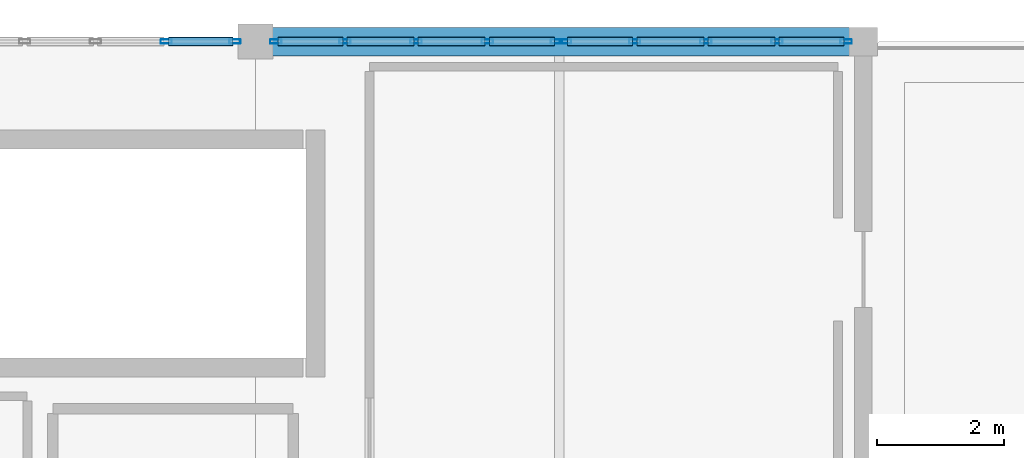
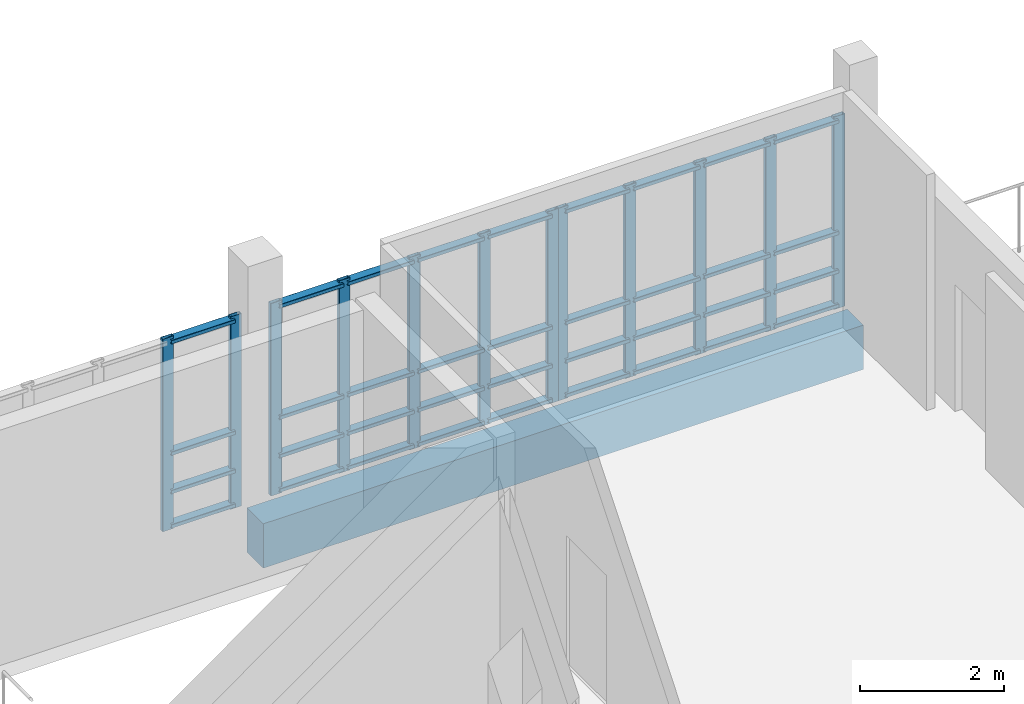
# One storey, part 6 of 11: 48 members, 1 beam, 3 elements without a shape of their own.
"""IFC4 building model written with IfcOpenShell, lengths in metres."""

from ifc_helpers import new_model, si_unit, direction, frame, origin, origin_2d, place, context, subcontext, project, spatial, rectangle, hollow_rectangle, extrude, material, layer, layer_set, material_profile, profile_set, type_object, element, aggregate, save


model = new_model("IFC4")

# Units and contexts
model_context = context("Model", 3, precision=1e-05, world=origin(), true_north=direction((0.0, 1.0)))
body_context = subcontext(model_context, "Body", "Model", "MODEL_VIEW")
ifc_project = project(units=[si_unit("LENGTHUNIT", "METRE"), si_unit("AREAUNIT", "SQUARE_METRE"), si_unit("VOLUMEUNIT", "CUBIC_METRE"), si_unit("PLANEANGLEUNIT", "RADIAN"), si_unit("MASSUNIT", "GRAM", prefix="KILO")], contexts=[model_context])

# Site, building, storey
site_placement = place(None, origin())
site = spatial("IfcSite", under=ifc_project, at=site_placement, CompositionType="ELEMENT")
building_placement = place(site_placement, origin())
building = spatial("IfcBuilding", under=site, at=building_placement, Name="Kisaragi Civic Commons", CompositionType="ELEMENT")
storey_placement = place(building_placement, frame((0.0, 0.0, 17.39990234375)))
storey = spatial("IfcBuildingStorey", under=building, at=storey_placement, Name="L04", CompositionType="ELEMENT", Elevation=17.39990234375)

# Curtain wall, members
ifc_material_1 = material(Name="Thermally broken anodized aluminium and low-E double glazing", Category="aluminium")
ifc_layer = layer(ifc_material_1, 0.179931640625, Name="Thermally broken anodized aluminium and low-E double glazing", Category="aluminium")
ifc_layer_set = layer_set([ifc_layer], Name="Thermally broken anodized aluminium and low-E double glazing")
curtain_wall_type = type_object("IfcCurtainWallType", Name="CW-01", PredefinedType="NOTDEFINED", material=ifc_layer_set)
curtain_wall_1_placement = place(storey_placement, origin())
curtain_wall_1 = element("IfcCurtainWall", 1, at=curtain_wall_1_placement, inside=storey, type_object=curtain_wall_type, Name="L04 curtain wall CW-01 CW-V4-L04-114", PredefinedType="NOTDEFINED")
ifc_material_profile_1 = material_profile(ifc_material_1, hollow_rectangle(XDim=0.06494140625, YDim=0.179931640625, WallThickness=0.00439453125, InnerFilletRadius=0.00439453125, OuterFilletRadius=0.009033203125, at=origin_2d()), Name="CWM-65x180x4.5", Category="aluminium")
ifc_profile_set_1 = profile_set([ifc_material_profile_1], Name="Thermally broken anodized aluminium and low-E double glazing")
member_type_1 = type_object("IfcMemberType", Name="CWM-02", PredefinedType="MULLION", material=ifc_profile_set_1)
member_1_placement = place(storey_placement, frame((122.1923828125, 118.800048828125, 0.0), z_axis=(0.0, 0.0, 1.0), x_axis=(0.0, 1.0, 0.0)))
member_1 = element("IfcMember", 2, at=member_1_placement, type_object=member_type_1, Name="CW-01 mullion 4", PredefinedType="MULLION", context=body_context, shape_type="SweptSolid", body=[
    extrude(hollow_rectangle(XDim=0.06494140625, YDim=0.179931640625, WallThickness=0.00439453125, InnerFilletRadius=0.00439453125, OuterFilletRadius=0.009033203125, at=origin_2d()), origin(), (0.0, 0.0, 1.0), 3.255126953125),
])
member_2_placement = place(storey_placement, frame((123.277587890625, 118.800048828125, 0.0), z_axis=(0.0, 0.0, 1.0), x_axis=(0.0, 1.0, 0.0)))
member_2 = element("IfcMember", 3, at=member_2_placement, type_object=member_type_1, Name="CW-01 mullion 5", PredefinedType="MULLION", context=body_context, shape_type="SweptSolid", body=[
    extrude(hollow_rectangle(XDim=0.06494140625, YDim=0.179931640625, WallThickness=0.00439453125, InnerFilletRadius=0.00439453125, OuterFilletRadius=0.009033203125, at=origin_2d()), origin(), (0.0, 0.0, 1.0), 3.255126953125),
])

curtain_wall_2_placement = place(storey_placement, origin())
curtain_wall_2 = element("IfcCurtainWall", 4, at=curtain_wall_2_placement, inside=storey, type_object=curtain_wall_type, Name="L04 curtain wall CW-01 CW-V4-L04-115", PredefinedType="NOTDEFINED")
member_3_placement = place(storey_placement, frame((123.922607421875, 118.800048828125, 0.0), z_axis=(0.0, 0.0, 1.0), x_axis=(0.0, 1.0, 0.0)))
member_3 = element("IfcMember", 5, at=member_3_placement, type_object=member_type_1, Name="CW-01 mullion 1", PredefinedType="MULLION", context=body_context, shape_type="SweptSolid", body=[
    extrude(hollow_rectangle(XDim=0.06494140625, YDim=0.179931640625, WallThickness=0.00439453125, InnerFilletRadius=0.00439453125, OuterFilletRadius=0.009033203125, at=origin_2d()), origin(), (0.0, 0.0, 1.0), 3.255126953125),
])
member_4_placement = place(storey_placement, frame((125.013671875, 118.800048828125, 0.0), z_axis=(0.0, 0.0, 1.0), x_axis=(0.0, 1.0, 0.0)))
member_4 = element("IfcMember", 6, at=member_4_placement, type_object=member_type_1, Name="CW-01 mullion 2", PredefinedType="MULLION", context=body_context, shape_type="SweptSolid", body=[
    extrude(hollow_rectangle(XDim=0.06494140625, YDim=0.179931640625, WallThickness=0.00439453125, InnerFilletRadius=0.00439453125, OuterFilletRadius=0.009033203125, at=origin_2d()), origin(), (0.0, 0.0, 1.0), 3.255126953125),
])
member_5_placement = place(storey_placement, frame((126.137451171875, 118.800048828125, 0.0), z_axis=(0.0, 0.0, 1.0), x_axis=(0.0, 1.0, 0.0)))
member_5 = element("IfcMember", 7, at=member_5_placement, type_object=member_type_1, Name="CW-01 mullion 3", PredefinedType="MULLION", context=body_context, shape_type="SweptSolid", body=[
    extrude(hollow_rectangle(XDim=0.06494140625, YDim=0.179931640625, WallThickness=0.00439453125, InnerFilletRadius=0.00439453125, OuterFilletRadius=0.009033203125, at=origin_2d()), origin(), (0.0, 0.0, 1.0), 3.255126953125),
])
member_6_placement = place(storey_placement, frame((127.26123046875, 118.800048828125, 0.0), z_axis=(0.0, 0.0, 1.0), x_axis=(0.0, 1.0, 0.0)))
member_6 = element("IfcMember", 8, at=member_6_placement, type_object=member_type_1, Name="CW-01 mullion 4", PredefinedType="MULLION", context=body_context, shape_type="SweptSolid", body=[
    extrude(hollow_rectangle(XDim=0.06494140625, YDim=0.179931640625, WallThickness=0.00439453125, InnerFilletRadius=0.00439453125, OuterFilletRadius=0.009033203125, at=origin_2d()), origin(), (0.0, 0.0, 1.0), 3.255126953125),
])
member_7_placement = place(storey_placement, frame((128.3525390625, 118.800048828125, 0.0), z_axis=(0.0, 0.0, 1.0), x_axis=(0.0, 1.0, 0.0)))
member_7 = element("IfcMember", 9, at=member_7_placement, type_object=member_type_1, Name="CW-01 mullion 5", PredefinedType="MULLION", context=body_context, shape_type="SweptSolid", body=[
    extrude(hollow_rectangle(XDim=0.06494140625, YDim=0.179931640625, WallThickness=0.00439453125, InnerFilletRadius=0.00439453125, OuterFilletRadius=0.009033203125, at=origin_2d()), origin(), (0.0, 0.0, 1.0), 3.255126953125),
])

curtain_wall_3_placement = place(storey_placement, origin())
curtain_wall_3 = element("IfcCurtainWall", 10, at=curtain_wall_3_placement, inside=storey, type_object=curtain_wall_type, Name="L04 curtain wall CW-01 CW-V4-L04-116", PredefinedType="NOTDEFINED")
member_8_placement = place(storey_placement, frame((128.49755859375, 118.800048828125, 0.0), z_axis=(0.0, 0.0, 1.0), x_axis=(0.0, 1.0, 0.0)))
member_8 = element("IfcMember", 11, at=member_8_placement, type_object=member_type_1, Name="CW-01 mullion 1", PredefinedType="MULLION", context=body_context, shape_type="SweptSolid", body=[
    extrude(hollow_rectangle(XDim=0.06494140625, YDim=0.179931640625, WallThickness=0.00439453125, InnerFilletRadius=0.00439453125, OuterFilletRadius=0.009033203125, at=origin_2d()), origin(), (0.0, 0.0, 1.0), 3.255126953125),
])
member_9_placement = place(storey_placement, frame((129.5888671875, 118.800048828125, 0.0), z_axis=(0.0, 0.0, 1.0), x_axis=(0.0, 1.0, 0.0)))
member_9 = element("IfcMember", 12, at=member_9_placement, type_object=member_type_1, Name="CW-01 mullion 2", PredefinedType="MULLION", context=body_context, shape_type="SweptSolid", body=[
    extrude(hollow_rectangle(XDim=0.06494140625, YDim=0.179931640625, WallThickness=0.00439453125, InnerFilletRadius=0.00439453125, OuterFilletRadius=0.009033203125, at=origin_2d()), origin(), (0.0, 0.0, 1.0), 3.255126953125),
])
member_10_placement = place(storey_placement, frame((130.71240234375, 118.800048828125, 0.0), z_axis=(0.0, 0.0, 1.0), x_axis=(0.0, 1.0, 0.0)))
member_10 = element("IfcMember", 13, at=member_10_placement, type_object=member_type_1, Name="CW-01 mullion 3", PredefinedType="MULLION", context=body_context, shape_type="SweptSolid", body=[
    extrude(hollow_rectangle(XDim=0.06494140625, YDim=0.179931640625, WallThickness=0.00439453125, InnerFilletRadius=0.00439453125, OuterFilletRadius=0.009033203125, at=origin_2d()), origin(), (0.0, 0.0, 1.0), 3.255126953125),
])
member_11_placement = place(storey_placement, frame((131.836181640625, 118.800048828125, 0.0), z_axis=(0.0, 0.0, 1.0), x_axis=(0.0, 1.0, 0.0)))
member_11 = element("IfcMember", 14, at=member_11_placement, type_object=member_type_1, Name="CW-01 mullion 4", PredefinedType="MULLION", context=body_context, shape_type="SweptSolid", body=[
    extrude(hollow_rectangle(XDim=0.06494140625, YDim=0.179931640625, WallThickness=0.00439453125, InnerFilletRadius=0.00439453125, OuterFilletRadius=0.009033203125, at=origin_2d()), origin(), (0.0, 0.0, 1.0), 3.255126953125),
])
member_12_placement = place(storey_placement, frame((132.927490234375, 118.800048828125, 0.0), z_axis=(0.0, 0.0, 1.0), x_axis=(0.0, 1.0, 0.0)))
member_12 = element("IfcMember", 15, at=member_12_placement, type_object=member_type_1, Name="CW-01 mullion 5", PredefinedType="MULLION", context=body_context, shape_type="SweptSolid", body=[
    extrude(hollow_rectangle(XDim=0.06494140625, YDim=0.179931640625, WallThickness=0.00439453125, InnerFilletRadius=0.00439453125, OuterFilletRadius=0.009033203125, at=origin_2d()), origin(), (0.0, 0.0, 1.0), 3.255126953125),
])

# Member
ifc_material_profile_2 = material_profile(ifc_material_1, hollow_rectangle(XDim=0.139892578125, YDim=0.06494140625, WallThickness=0.00439453125, InnerFilletRadius=0.00439453125, OuterFilletRadius=0.009033203125, at=origin_2d()), Name="CWT-65x140x4.5", Category="aluminium")
ifc_profile_set_2 = profile_set([ifc_material_profile_2], Name="Thermally broken anodized aluminium and low-E double glazing")
member_type_2 = type_object("IfcMemberType", Name="CWT-02", PredefinedType="USERDEFINED", material=ifc_profile_set_2)
member_13_placement = place(storey_placement, frame((122.22509765625, 118.800048828125, 0.070068359375), z_axis=(1.0, 0.0, 0.0), x_axis=(0.0, 1.0, 0.0)))
member_13 = element("IfcMember", 16, at=member_13_placement, type_object=member_type_2, Name="CW-01 transom 4.1", ObjectType="TRANSOM", PredefinedType="USERDEFINED", context=body_context, shape_type="SweptSolid", body=[
    extrude(hollow_rectangle(XDim=0.139892578125, YDim=0.06494140625, WallThickness=0.00439453125, InnerFilletRadius=0.00439453125, OuterFilletRadius=0.009033203125, at=origin_2d()), origin(), (0.0, 0.0, 1.0), 1.02001953125),
])

member_14_placement = place(storey_placement, frame((122.22509765625, 118.800048828125, 0.650146484375), z_axis=(1.0, 0.0, 0.0), x_axis=(0.0, 1.0, 0.0)))
member_14 = element("IfcMember", 17, at=member_14_placement, type_object=member_type_2, Name="CW-01 transom 4.2", ObjectType="TRANSOM", PredefinedType="USERDEFINED", context=body_context, shape_type="SweptSolid", body=[
    extrude(hollow_rectangle(XDim=0.139892578125, YDim=0.06494140625, WallThickness=0.00439453125, InnerFilletRadius=0.00439453125, OuterFilletRadius=0.009033203125, at=origin_2d()), origin(), (0.0, 0.0, 1.0), 1.02001953125),
])

member_15_placement = place(storey_placement, frame((122.22509765625, 118.800048828125, 1.300048828125), z_axis=(1.0, 0.0, 0.0), x_axis=(0.0, 1.0, 0.0)))
member_15 = element("IfcMember", 18, at=member_15_placement, type_object=member_type_2, Name="CW-01 transom 4.3", ObjectType="TRANSOM", PredefinedType="USERDEFINED", context=body_context, shape_type="SweptSolid", body=[
    extrude(hollow_rectangle(XDim=0.139892578125, YDim=0.06494140625, WallThickness=0.00439453125, InnerFilletRadius=0.00439453125, OuterFilletRadius=0.009033203125, at=origin_2d()), origin(), (0.0, 0.0, 1.0), 1.02001953125),
])

member_16_placement = place(storey_placement, frame((122.22509765625, 118.800048828125, 3.18505859375), z_axis=(1.0, 0.0, 0.0), x_axis=(0.0, 1.0, 0.0)))
member_16 = element("IfcMember", 19, at=member_16_placement, type_object=member_type_2, Name="CW-01 transom 4.4", ObjectType="TRANSOM", PredefinedType="USERDEFINED", context=body_context, shape_type="SweptSolid", body=[
    extrude(hollow_rectangle(XDim=0.139892578125, YDim=0.06494140625, WallThickness=0.00439453125, InnerFilletRadius=0.00439453125, OuterFilletRadius=0.009033203125, at=origin_2d()), origin(), (0.0, 0.0, 1.0), 1.02001953125),
])

aggregate(curtain_wall_1, [member_1, member_2, member_13, member_14, member_15, member_16])

member_17_placement = place(storey_placement, frame((123.955078125, 118.800048828125, 0.070068359375), z_axis=(1.0, 0.0, 0.0), x_axis=(0.0, 1.0, 0.0)))
member_17 = element("IfcMember", 20, at=member_17_placement, type_object=member_type_2, Name="CW-01 transom 1.1", ObjectType="TRANSOM", PredefinedType="USERDEFINED", context=body_context, shape_type="SweptSolid", body=[
    extrude(hollow_rectangle(XDim=0.139892578125, YDim=0.06494140625, WallThickness=0.00439453125, InnerFilletRadius=0.00439453125, OuterFilletRadius=0.009033203125, at=origin_2d()), origin(), (0.0, 0.0, 1.0), 1.026123046875),
])

member_18_placement = place(storey_placement, frame((123.955078125, 118.800048828125, 0.650146484375), z_axis=(1.0, 0.0, 0.0), x_axis=(0.0, 1.0, 0.0)))
member_18 = element("IfcMember", 21, at=member_18_placement, type_object=member_type_2, Name="CW-01 transom 1.2", ObjectType="TRANSOM", PredefinedType="USERDEFINED", context=body_context, shape_type="SweptSolid", body=[
    extrude(hollow_rectangle(XDim=0.139892578125, YDim=0.06494140625, WallThickness=0.00439453125, InnerFilletRadius=0.00439453125, OuterFilletRadius=0.009033203125, at=origin_2d()), origin(), (0.0, 0.0, 1.0), 1.026123046875),
])

member_19_placement = place(storey_placement, frame((123.955078125, 118.800048828125, 1.300048828125), z_axis=(1.0, 0.0, 0.0), x_axis=(0.0, 1.0, 0.0)))
member_19 = element("IfcMember", 22, at=member_19_placement, type_object=member_type_2, Name="CW-01 transom 1.3", ObjectType="TRANSOM", PredefinedType="USERDEFINED", context=body_context, shape_type="SweptSolid", body=[
    extrude(hollow_rectangle(XDim=0.139892578125, YDim=0.06494140625, WallThickness=0.00439453125, InnerFilletRadius=0.00439453125, OuterFilletRadius=0.009033203125, at=origin_2d()), origin(), (0.0, 0.0, 1.0), 1.026123046875),
])

member_20_placement = place(storey_placement, frame((123.955078125, 118.800048828125, 3.18505859375), z_axis=(1.0, 0.0, 0.0), x_axis=(0.0, 1.0, 0.0)))
member_20 = element("IfcMember", 23, at=member_20_placement, type_object=member_type_2, Name="CW-01 transom 1.4", ObjectType="TRANSOM", PredefinedType="USERDEFINED", context=body_context, shape_type="SweptSolid", body=[
    extrude(hollow_rectangle(XDim=0.139892578125, YDim=0.06494140625, WallThickness=0.00439453125, InnerFilletRadius=0.00439453125, OuterFilletRadius=0.009033203125, at=origin_2d()), origin(), (0.0, 0.0, 1.0), 1.026123046875),
])

member_21_placement = place(storey_placement, frame((125.046142578125, 118.800048828125, 0.070068359375), z_axis=(1.0, 0.0, 0.0), x_axis=(0.0, 1.0, 0.0)))
member_21 = element("IfcMember", 24, at=member_21_placement, type_object=member_type_2, Name="CW-01 transom 2.1", ObjectType="TRANSOM", PredefinedType="USERDEFINED", context=body_context, shape_type="SweptSolid", body=[
    extrude(hollow_rectangle(XDim=0.139892578125, YDim=0.06494140625, WallThickness=0.00439453125, InnerFilletRadius=0.00439453125, OuterFilletRadius=0.009033203125, at=origin_2d()), origin(), (0.0, 0.0, 1.0), 1.058837890625),
])

member_22_placement = place(storey_placement, frame((125.046142578125, 118.800048828125, 0.650146484375), z_axis=(1.0, 0.0, 0.0), x_axis=(0.0, 1.0, 0.0)))
member_22 = element("IfcMember", 25, at=member_22_placement, type_object=member_type_2, Name="CW-01 transom 2.2", ObjectType="TRANSOM", PredefinedType="USERDEFINED", context=body_context, shape_type="SweptSolid", body=[
    extrude(hollow_rectangle(XDim=0.139892578125, YDim=0.06494140625, WallThickness=0.00439453125, InnerFilletRadius=0.00439453125, OuterFilletRadius=0.009033203125, at=origin_2d()), origin(), (0.0, 0.0, 1.0), 1.058837890625),
])

member_23_placement = place(storey_placement, frame((125.046142578125, 118.800048828125, 1.300048828125), z_axis=(1.0, 0.0, 0.0), x_axis=(0.0, 1.0, 0.0)))
member_23 = element("IfcMember", 26, at=member_23_placement, type_object=member_type_2, Name="CW-01 transom 2.3", ObjectType="TRANSOM", PredefinedType="USERDEFINED", context=body_context, shape_type="SweptSolid", body=[
    extrude(hollow_rectangle(XDim=0.139892578125, YDim=0.06494140625, WallThickness=0.00439453125, InnerFilletRadius=0.00439453125, OuterFilletRadius=0.009033203125, at=origin_2d()), origin(), (0.0, 0.0, 1.0), 1.058837890625),
])

member_24_placement = place(storey_placement, frame((125.046142578125, 118.800048828125, 3.18505859375), z_axis=(1.0, 0.0, 0.0), x_axis=(0.0, 1.0, 0.0)))
member_24 = element("IfcMember", 27, at=member_24_placement, type_object=member_type_2, Name="CW-01 transom 2.4", ObjectType="TRANSOM", PredefinedType="USERDEFINED", context=body_context, shape_type="SweptSolid", body=[
    extrude(hollow_rectangle(XDim=0.139892578125, YDim=0.06494140625, WallThickness=0.00439453125, InnerFilletRadius=0.00439453125, OuterFilletRadius=0.009033203125, at=origin_2d()), origin(), (0.0, 0.0, 1.0), 1.058837890625),
])

member_25_placement = place(storey_placement, frame((126.169921875, 118.800048828125, 0.070068359375), z_axis=(1.0, 0.0, 0.0), x_axis=(0.0, 1.0, 0.0)))
member_25 = element("IfcMember", 28, at=member_25_placement, type_object=member_type_2, Name="CW-01 transom 3.1", ObjectType="TRANSOM", PredefinedType="USERDEFINED", context=body_context, shape_type="SweptSolid", body=[
    extrude(hollow_rectangle(XDim=0.139892578125, YDim=0.06494140625, WallThickness=0.00439453125, InnerFilletRadius=0.00439453125, OuterFilletRadius=0.009033203125, at=origin_2d()), origin(), (0.0, 0.0, 1.0), 1.058837890625),
])

member_26_placement = place(storey_placement, frame((126.169921875, 118.800048828125, 0.650146484375), z_axis=(1.0, 0.0, 0.0), x_axis=(0.0, 1.0, 0.0)))
member_26 = element("IfcMember", 29, at=member_26_placement, type_object=member_type_2, Name="CW-01 transom 3.2", ObjectType="TRANSOM", PredefinedType="USERDEFINED", context=body_context, shape_type="SweptSolid", body=[
    extrude(hollow_rectangle(XDim=0.139892578125, YDim=0.06494140625, WallThickness=0.00439453125, InnerFilletRadius=0.00439453125, OuterFilletRadius=0.009033203125, at=origin_2d()), origin(), (0.0, 0.0, 1.0), 1.058837890625),
])

member_27_placement = place(storey_placement, frame((126.169921875, 118.800048828125, 1.300048828125), z_axis=(1.0, 0.0, 0.0), x_axis=(0.0, 1.0, 0.0)))
member_27 = element("IfcMember", 30, at=member_27_placement, type_object=member_type_2, Name="CW-01 transom 3.3", ObjectType="TRANSOM", PredefinedType="USERDEFINED", context=body_context, shape_type="SweptSolid", body=[
    extrude(hollow_rectangle(XDim=0.139892578125, YDim=0.06494140625, WallThickness=0.00439453125, InnerFilletRadius=0.00439453125, OuterFilletRadius=0.009033203125, at=origin_2d()), origin(), (0.0, 0.0, 1.0), 1.058837890625),
])

member_28_placement = place(storey_placement, frame((126.169921875, 118.800048828125, 3.18505859375), z_axis=(1.0, 0.0, 0.0), x_axis=(0.0, 1.0, 0.0)))
member_28 = element("IfcMember", 31, at=member_28_placement, type_object=member_type_2, Name="CW-01 transom 3.4", ObjectType="TRANSOM", PredefinedType="USERDEFINED", context=body_context, shape_type="SweptSolid", body=[
    extrude(hollow_rectangle(XDim=0.139892578125, YDim=0.06494140625, WallThickness=0.00439453125, InnerFilletRadius=0.00439453125, OuterFilletRadius=0.009033203125, at=origin_2d()), origin(), (0.0, 0.0, 1.0), 1.058837890625),
])

member_29_placement = place(storey_placement, frame((127.293701171875, 118.800048828125, 0.070068359375), z_axis=(1.0, 0.0, 0.0), x_axis=(0.0, 1.0, 0.0)))
member_29 = element("IfcMember", 32, at=member_29_placement, type_object=member_type_2, Name="CW-01 transom 4.1", ObjectType="TRANSOM", PredefinedType="USERDEFINED", context=body_context, shape_type="SweptSolid", body=[
    extrude(hollow_rectangle(XDim=0.139892578125, YDim=0.06494140625, WallThickness=0.00439453125, InnerFilletRadius=0.00439453125, OuterFilletRadius=0.009033203125, at=origin_2d()), origin(), (0.0, 0.0, 1.0), 1.0263671875),
])

member_30_placement = place(storey_placement, frame((127.293701171875, 118.800048828125, 0.650146484375), z_axis=(1.0, 0.0, 0.0), x_axis=(0.0, 1.0, 0.0)))
member_30 = element("IfcMember", 33, at=member_30_placement, type_object=member_type_2, Name="CW-01 transom 4.2", ObjectType="TRANSOM", PredefinedType="USERDEFINED", context=body_context, shape_type="SweptSolid", body=[
    extrude(hollow_rectangle(XDim=0.139892578125, YDim=0.06494140625, WallThickness=0.00439453125, InnerFilletRadius=0.00439453125, OuterFilletRadius=0.009033203125, at=origin_2d()), origin(), (0.0, 0.0, 1.0), 1.0263671875),
])

member_31_placement = place(storey_placement, frame((127.293701171875, 118.800048828125, 1.300048828125), z_axis=(1.0, 0.0, 0.0), x_axis=(0.0, 1.0, 0.0)))
member_31 = element("IfcMember", 34, at=member_31_placement, type_object=member_type_2, Name="CW-01 transom 4.3", ObjectType="TRANSOM", PredefinedType="USERDEFINED", context=body_context, shape_type="SweptSolid", body=[
    extrude(hollow_rectangle(XDim=0.139892578125, YDim=0.06494140625, WallThickness=0.00439453125, InnerFilletRadius=0.00439453125, OuterFilletRadius=0.009033203125, at=origin_2d()), origin(), (0.0, 0.0, 1.0), 1.0263671875),
])

member_32_placement = place(storey_placement, frame((127.293701171875, 118.800048828125, 3.18505859375), z_axis=(1.0, 0.0, 0.0), x_axis=(0.0, 1.0, 0.0)))
member_32 = element("IfcMember", 35, at=member_32_placement, type_object=member_type_2, Name="CW-01 transom 4.4", ObjectType="TRANSOM", PredefinedType="USERDEFINED", context=body_context, shape_type="SweptSolid", body=[
    extrude(hollow_rectangle(XDim=0.139892578125, YDim=0.06494140625, WallThickness=0.00439453125, InnerFilletRadius=0.00439453125, OuterFilletRadius=0.009033203125, at=origin_2d()), origin(), (0.0, 0.0, 1.0), 1.0263671875),
])

aggregate(curtain_wall_2, [member_3, member_4, member_5, member_6, member_7, member_17, member_18, member_19, member_20, member_21, member_22, member_23, member_24, member_25, member_26, member_27, member_28, member_29, member_30, member_31, member_32])

member_33_placement = place(storey_placement, frame((128.530029296875, 118.800048828125, 0.070068359375), z_axis=(1.0, 0.0, 0.0), x_axis=(0.0, 1.0, 0.0)))
member_33 = element("IfcMember", 36, at=member_33_placement, type_object=member_type_2, Name="CW-01 transom 1.1", ObjectType="TRANSOM", PredefinedType="USERDEFINED", context=body_context, shape_type="SweptSolid", body=[
    extrude(hollow_rectangle(XDim=0.139892578125, YDim=0.06494140625, WallThickness=0.00439453125, InnerFilletRadius=0.00439453125, OuterFilletRadius=0.009033203125, at=origin_2d()), origin(), (0.0, 0.0, 1.0), 1.026123046875),
])

member_34_placement = place(storey_placement, frame((128.530029296875, 118.800048828125, 0.650146484375), z_axis=(1.0, 0.0, 0.0), x_axis=(0.0, 1.0, 0.0)))
member_34 = element("IfcMember", 37, at=member_34_placement, type_object=member_type_2, Name="CW-01 transom 1.2", ObjectType="TRANSOM", PredefinedType="USERDEFINED", context=body_context, shape_type="SweptSolid", body=[
    extrude(hollow_rectangle(XDim=0.139892578125, YDim=0.06494140625, WallThickness=0.00439453125, InnerFilletRadius=0.00439453125, OuterFilletRadius=0.009033203125, at=origin_2d()), origin(), (0.0, 0.0, 1.0), 1.026123046875),
])

member_35_placement = place(storey_placement, frame((128.530029296875, 118.800048828125, 1.300048828125), z_axis=(1.0, 0.0, 0.0), x_axis=(0.0, 1.0, 0.0)))
member_35 = element("IfcMember", 38, at=member_35_placement, type_object=member_type_2, Name="CW-01 transom 1.3", ObjectType="TRANSOM", PredefinedType="USERDEFINED", context=body_context, shape_type="SweptSolid", body=[
    extrude(hollow_rectangle(XDim=0.139892578125, YDim=0.06494140625, WallThickness=0.00439453125, InnerFilletRadius=0.00439453125, OuterFilletRadius=0.009033203125, at=origin_2d()), origin(), (0.0, 0.0, 1.0), 1.026123046875),
])

member_36_placement = place(storey_placement, frame((128.530029296875, 118.800048828125, 3.18505859375), z_axis=(1.0, 0.0, 0.0), x_axis=(0.0, 1.0, 0.0)))
member_36 = element("IfcMember", 39, at=member_36_placement, type_object=member_type_2, Name="CW-01 transom 1.4", ObjectType="TRANSOM", PredefinedType="USERDEFINED", context=body_context, shape_type="SweptSolid", body=[
    extrude(hollow_rectangle(XDim=0.139892578125, YDim=0.06494140625, WallThickness=0.00439453125, InnerFilletRadius=0.00439453125, OuterFilletRadius=0.009033203125, at=origin_2d()), origin(), (0.0, 0.0, 1.0), 1.026123046875),
])

member_37_placement = place(storey_placement, frame((129.621337890625, 118.800048828125, 0.070068359375), z_axis=(1.0, 0.0, 0.0), x_axis=(0.0, 1.0, 0.0)))
member_37 = element("IfcMember", 40, at=member_37_placement, type_object=member_type_2, Name="CW-01 transom 2.1", ObjectType="TRANSOM", PredefinedType="USERDEFINED", context=body_context, shape_type="SweptSolid", body=[
    extrude(hollow_rectangle(XDim=0.139892578125, YDim=0.06494140625, WallThickness=0.00439453125, InnerFilletRadius=0.00439453125, OuterFilletRadius=0.009033203125, at=origin_2d()), origin(), (0.0, 0.0, 1.0), 1.05859375),
])

member_38_placement = place(storey_placement, frame((129.621337890625, 118.800048828125, 0.650146484375), z_axis=(1.0, 0.0, 0.0), x_axis=(0.0, 1.0, 0.0)))
member_38 = element("IfcMember", 41, at=member_38_placement, type_object=member_type_2, Name="CW-01 transom 2.2", ObjectType="TRANSOM", PredefinedType="USERDEFINED", context=body_context, shape_type="SweptSolid", body=[
    extrude(hollow_rectangle(XDim=0.139892578125, YDim=0.06494140625, WallThickness=0.00439453125, InnerFilletRadius=0.00439453125, OuterFilletRadius=0.009033203125, at=origin_2d()), origin(), (0.0, 0.0, 1.0), 1.05859375),
])

member_39_placement = place(storey_placement, frame((129.621337890625, 118.800048828125, 1.300048828125), z_axis=(1.0, 0.0, 0.0), x_axis=(0.0, 1.0, 0.0)))
member_39 = element("IfcMember", 42, at=member_39_placement, type_object=member_type_2, Name="CW-01 transom 2.3", ObjectType="TRANSOM", PredefinedType="USERDEFINED", context=body_context, shape_type="SweptSolid", body=[
    extrude(hollow_rectangle(XDim=0.139892578125, YDim=0.06494140625, WallThickness=0.00439453125, InnerFilletRadius=0.00439453125, OuterFilletRadius=0.009033203125, at=origin_2d()), origin(), (0.0, 0.0, 1.0), 1.05859375),
])

member_40_placement = place(storey_placement, frame((129.621337890625, 118.800048828125, 3.18505859375), z_axis=(1.0, 0.0, 0.0), x_axis=(0.0, 1.0, 0.0)))
member_40 = element("IfcMember", 43, at=member_40_placement, type_object=member_type_2, Name="CW-01 transom 2.4", ObjectType="TRANSOM", PredefinedType="USERDEFINED", context=body_context, shape_type="SweptSolid", body=[
    extrude(hollow_rectangle(XDim=0.139892578125, YDim=0.06494140625, WallThickness=0.00439453125, InnerFilletRadius=0.00439453125, OuterFilletRadius=0.009033203125, at=origin_2d()), origin(), (0.0, 0.0, 1.0), 1.05859375),
])

member_41_placement = place(storey_placement, frame((130.7451171875, 118.800048828125, 0.070068359375), z_axis=(1.0, 0.0, 0.0), x_axis=(0.0, 1.0, 0.0)))
member_41 = element("IfcMember", 44, at=member_41_placement, type_object=member_type_2, Name="CW-01 transom 3.1", ObjectType="TRANSOM", PredefinedType="USERDEFINED", context=body_context, shape_type="SweptSolid", body=[
    extrude(hollow_rectangle(XDim=0.139892578125, YDim=0.06494140625, WallThickness=0.00439453125, InnerFilletRadius=0.00439453125, OuterFilletRadius=0.009033203125, at=origin_2d()), origin(), (0.0, 0.0, 1.0), 1.05859375),
])

member_42_placement = place(storey_placement, frame((130.7451171875, 118.800048828125, 0.650146484375), z_axis=(1.0, 0.0, 0.0), x_axis=(0.0, 1.0, 0.0)))
member_42 = element("IfcMember", 45, at=member_42_placement, type_object=member_type_2, Name="CW-01 transom 3.2", ObjectType="TRANSOM", PredefinedType="USERDEFINED", context=body_context, shape_type="SweptSolid", body=[
    extrude(hollow_rectangle(XDim=0.139892578125, YDim=0.06494140625, WallThickness=0.00439453125, InnerFilletRadius=0.00439453125, OuterFilletRadius=0.009033203125, at=origin_2d()), origin(), (0.0, 0.0, 1.0), 1.05859375),
])

member_43_placement = place(storey_placement, frame((130.7451171875, 118.800048828125, 1.300048828125), z_axis=(1.0, 0.0, 0.0), x_axis=(0.0, 1.0, 0.0)))
member_43 = element("IfcMember", 46, at=member_43_placement, type_object=member_type_2, Name="CW-01 transom 3.3", ObjectType="TRANSOM", PredefinedType="USERDEFINED", context=body_context, shape_type="SweptSolid", body=[
    extrude(hollow_rectangle(XDim=0.139892578125, YDim=0.06494140625, WallThickness=0.00439453125, InnerFilletRadius=0.00439453125, OuterFilletRadius=0.009033203125, at=origin_2d()), origin(), (0.0, 0.0, 1.0), 1.05859375),
])

member_44_placement = place(storey_placement, frame((130.7451171875, 118.800048828125, 3.18505859375), z_axis=(1.0, 0.0, 0.0), x_axis=(0.0, 1.0, 0.0)))
member_44 = element("IfcMember", 47, at=member_44_placement, type_object=member_type_2, Name="CW-01 transom 3.4", ObjectType="TRANSOM", PredefinedType="USERDEFINED", context=body_context, shape_type="SweptSolid", body=[
    extrude(hollow_rectangle(XDim=0.139892578125, YDim=0.06494140625, WallThickness=0.00439453125, InnerFilletRadius=0.00439453125, OuterFilletRadius=0.009033203125, at=origin_2d()), origin(), (0.0, 0.0, 1.0), 1.05859375),
])

member_45_placement = place(storey_placement, frame((131.86865234375, 118.800048828125, 0.070068359375), z_axis=(1.0, 0.0, 0.0), x_axis=(0.0, 1.0, 0.0)))
member_45 = element("IfcMember", 48, at=member_45_placement, type_object=member_type_2, Name="CW-01 transom 4.1", ObjectType="TRANSOM", PredefinedType="USERDEFINED", context=body_context, shape_type="SweptSolid", body=[
    extrude(hollow_rectangle(XDim=0.139892578125, YDim=0.06494140625, WallThickness=0.00439453125, InnerFilletRadius=0.00439453125, OuterFilletRadius=0.009033203125, at=origin_2d()), origin(), (0.0, 0.0, 1.0), 1.0263671875),
])

member_46_placement = place(storey_placement, frame((131.86865234375, 118.800048828125, 0.650146484375), z_axis=(1.0, 0.0, 0.0), x_axis=(0.0, 1.0, 0.0)))
member_46 = element("IfcMember", 49, at=member_46_placement, type_object=member_type_2, Name="CW-01 transom 4.2", ObjectType="TRANSOM", PredefinedType="USERDEFINED", context=body_context, shape_type="SweptSolid", body=[
    extrude(hollow_rectangle(XDim=0.139892578125, YDim=0.06494140625, WallThickness=0.00439453125, InnerFilletRadius=0.00439453125, OuterFilletRadius=0.009033203125, at=origin_2d()), origin(), (0.0, 0.0, 1.0), 1.0263671875),
])

member_47_placement = place(storey_placement, frame((131.86865234375, 118.800048828125, 1.300048828125), z_axis=(1.0, 0.0, 0.0), x_axis=(0.0, 1.0, 0.0)))
member_47 = element("IfcMember", 50, at=member_47_placement, type_object=member_type_2, Name="CW-01 transom 4.3", ObjectType="TRANSOM", PredefinedType="USERDEFINED", context=body_context, shape_type="SweptSolid", body=[
    extrude(hollow_rectangle(XDim=0.139892578125, YDim=0.06494140625, WallThickness=0.00439453125, InnerFilletRadius=0.00439453125, OuterFilletRadius=0.009033203125, at=origin_2d()), origin(), (0.0, 0.0, 1.0), 1.0263671875),
])

member_48_placement = place(storey_placement, frame((131.86865234375, 118.800048828125, 3.18505859375), z_axis=(1.0, 0.0, 0.0), x_axis=(0.0, 1.0, 0.0)))
member_48 = element("IfcMember", 51, at=member_48_placement, type_object=member_type_2, Name="CW-01 transom 4.4", ObjectType="TRANSOM", PredefinedType="USERDEFINED", context=body_context, shape_type="SweptSolid", body=[
    extrude(hollow_rectangle(XDim=0.139892578125, YDim=0.06494140625, WallThickness=0.00439453125, InnerFilletRadius=0.00439453125, OuterFilletRadius=0.009033203125, at=origin_2d()), origin(), (0.0, 0.0, 1.0), 1.0263671875),
])

aggregate(curtain_wall_3, [member_8, member_9, member_10, member_11, member_12, member_33, member_34, member_35, member_36, member_37, member_38, member_39, member_40, member_41, member_42, member_43, member_44, member_45, member_46, member_47, member_48])

# Beam
ifc_material_2 = material(Name="Concrete Fc30", Category="concrete")
ifc_material_profile_3 = material_profile(ifc_material_2, rectangle(XDim=0.449951171875, YDim=0.75, at=origin_2d()), Name="RC-450x750", Category="concrete")
ifc_profile_set_3 = profile_set([ifc_material_profile_3], Name="Concrete Fc30")
beam_type = type_object("IfcBeamType", Name="SPB-04", PredefinedType="SPANDREL", material=ifc_profile_set_3)
beam_placement = place(storey_placement, frame((123.60009765625, 118.800048828125, -0.64501953125), z_axis=(1.0, 0.0, 0.0), x_axis=(0.0, 1.0, 0.0)))
element("IfcBeam", 52, at=beam_placement, inside=storey, type_object=beam_type, Name="L04 girder SPB-04 345", PredefinedType="SPANDREL", context=body_context, shape_type="SweptSolid", body=[
    extrude(rectangle(XDim=0.449951171875, YDim=0.75, at=origin_2d()), origin(), (0.0, 0.0, 1.0), 9.599853515625),
])

save(model, "model.ifc")
